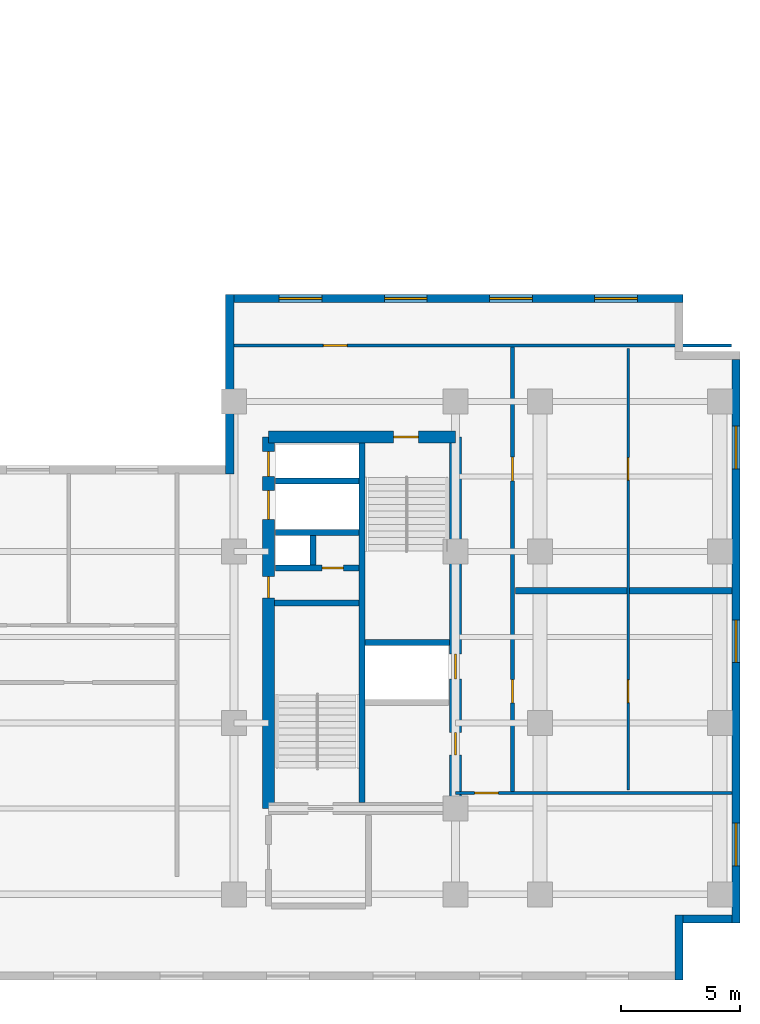
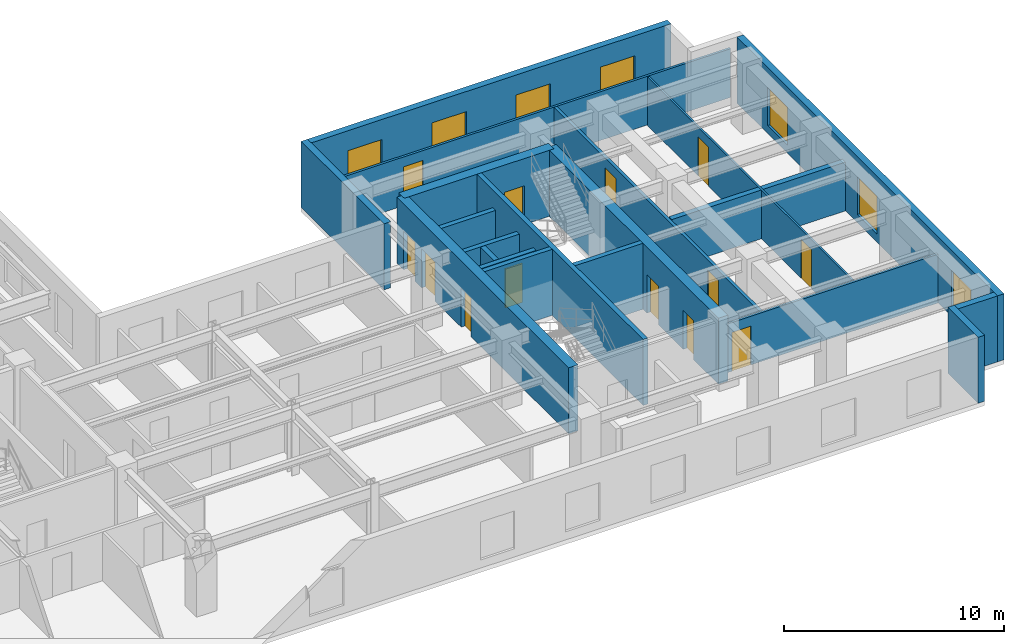
# One storey, part 5 of 9: 20 walls, 13 doors, 7 windows, 20 openings.
"""IFC4 building model written with IfcOpenShell, lengths in metres."""

from ifc_helpers import new_model, entity, si_unit, converted_unit, direction, frame, origin_with_axes, origin_2d_with_axis, place, context, subcontext, project, spatial, polyline, rectangle, outline, extrude, material, layer, layer_set, type_object, element, fill, save


model = new_model("IFC4")

# Units and contexts
model_context = context("Model", 3, precision=1e-05, world=origin_with_axes(), true_north=direction((0.0, 1.0)))
body_context = subcontext(model_context, "Body", "Model", "MODEL_VIEW")
ifc_project = project(units=[si_unit("LENGTHUNIT", "METRE"), si_unit("AREAUNIT", "SQUARE_METRE"), si_unit("VOLUMEUNIT", "CUBIC_METRE"), converted_unit("PLANEANGLEUNIT", "DEGREE", entity("IfcPlaneAngleMeasure", 0.017453292519943295), si_unit("PLANEANGLEUNIT", "RADIAN"), dimensions=[0, 0, 0, 0, 0, 0, 0]), si_unit("MASSUNIT", "GRAM", prefix="KILO"), si_unit("THERMODYNAMICTEMPERATUREUNIT", "KELVIN")], contexts=[model_context])

# Site, building, storey
site_placement = place(None, origin_with_axes())
site = spatial("IfcSite", under=ifc_project, at=site_placement, CompositionType="ELEMENT")
building_placement = place(site_placement, origin_with_axes())
building = spatial("IfcBuilding", under=site, at=building_placement, Name="Varnlund Millrace Tower", CompositionType="ELEMENT")
storey_placement = place(building_placement, frame((0.0, 0.0, 164.1), z_axis=(0.0, 0.0, 1.0), x_axis=(1.0, 0.0, 0.0)))
storey = spatial("IfcBuildingStorey", under=building, at=storey_placement, Name="L40", CompositionType="ELEMENT", Elevation=164.1)

# Wall, openings, doors
ifc_material_1 = material(Name="Concrete C70/85", Category="concrete")
ifc_layer_1 = layer(ifc_material_1, 0.5, Name="Concrete C70/85")
ifc_layer_set_1 = layer_set([ifc_layer_1], Name="Concrete C70/85")
wall_type_1 = type_object("IfcWallType", Name="Type-CoreWall-Shear-500-C70", PredefinedType="SHEAR", material=ifc_layer_set_1)
wall_1_placement = place(storey_placement, frame((40.2, 7.2, 0.0), z_axis=(0.0, 0.0, 1.0), x_axis=(0.0, 1.0, 0.0)))
wall_1 = element("IfcWall", 1, at=wall_1_placement, inside=storey, type_object=wall_type_1, Name="Type-CoreWall-Shear-500-C70", PredefinedType="SHEAR", context=body_context, shape_type="SweptSolid", body=[
    extrude(outline(polyline([(0.0, -0.25), (15.6, -0.25), (15.6, 0.25), (0.0, 0.25), (0.0, -0.25)])), origin_with_axes(), (0.0, 0.0, 1.0), 3.66),
])
opening_1_placement = place(wall_1_placement, frame((14.475, 0.0, 0.0), z_axis=(0.0, 0.0, 1.0), x_axis=(1.0, 0.0, 0.0)))
opening_1 = element("IfcOpeningElement", 2, at=opening_1_placement, cuts=wall_1, Name="Opening L40:LD-ELV-M4", PredefinedType="OPENING", context=body_context, shape_type="SweptSolid", body=[
    extrude(rectangle(XDim=1.05, YDim=0.52, at=origin_2d_with_axis()), origin_with_axes(), (0.0, 0.0, 1.0), 2.15),
])
opening_2_placement = place(wall_1_placement, frame((12.75, 0.0, 0.0), z_axis=(0.0, 0.0, 1.0), x_axis=(1.0, 0.0, 0.0)))
opening_2 = element("IfcOpeningElement", 3, at=opening_2_placement, cuts=wall_1, Name="Opening L40:LD-SRV2", PredefinedType="OPENING", context=body_context, shape_type="SweptSolid", body=[
    extrude(rectangle(XDim=1.2, YDim=0.52, at=origin_2d_with_axis()), origin_with_axes(), (0.0, 0.0, 1.0), 2.15),
])
opening_3_placement = place(wall_1_placement, frame((9.3, 0.0, 0.0), z_axis=(0.0, 0.0, 1.0), x_axis=(1.0, 0.0, 0.0)))
opening_3 = element("IfcOpeningElement", 4, at=opening_3_placement, cuts=wall_1, Name="Opening L40:DR-CB-JAN", PredefinedType="OPENING", context=body_context, shape_type="SweptSolid", body=[
    extrude(rectangle(XDim=0.9, YDim=0.52, at=origin_2d_with_axis()), origin_with_axes(), (0.0, 0.0, 1.0), 2.15),
])
ifc_material_2 = material(Name="Fire-rated hollow steel service closet door", Category="steel")
door_type_1 = type_object("IfcDoorType", Name="Type-FireDoor-Closet-900X2150", OperationType="NOTDEFINED", PredefinedType="DOOR", material=ifc_material_2)
door_1_placement = place(wall_1_placement, frame((9.3, 0.0, 0.0), z_axis=(0.0, 0.0, 1.0), x_axis=(1.0, 0.0, 0.0)))
door_1 = element("IfcDoor", 5, at=door_1_placement, inside=storey, type_object=door_type_1, Name="Type-FireDoor-Closet-900X2150", OperationType="SINGLE_SWING_RIGHT", OverallHeight=2.15, OverallWidth=0.9, PredefinedType="DOOR", context=body_context, shape_type="SweptSolid", body=[
    extrude(rectangle(XDim=0.9, YDim=0.09, at=origin_2d_with_axis()), origin_with_axes(), (0.0, 0.0, 1.0), 2.15),
])
fill(opening_3, door_1)
ifc_material_3 = material(Name="Architectural bronze sliding landing door")
door_type_2 = type_object("IfcDoorType", Name="Type-LiftLandingDoor-Compact-1050X2150", OperationType="NOTDEFINED", PredefinedType="DOOR", material=ifc_material_3)
door_2_placement = place(wall_1_placement, frame((14.475, 0.0, 0.0), z_axis=(0.0, 0.0, 1.0), x_axis=(1.0, 0.0, 0.0)))
door_2 = element("IfcDoor", 6, at=door_2_placement, inside=storey, type_object=door_type_2, Name="Type-LiftLandingDoor-Compact-1050X2150", OperationType="SLIDING_TO_RIGHT", OverallHeight=2.15, OverallWidth=1.05, PredefinedType="DOOR", context=body_context, shape_type="SweptSolid", body=[
    extrude(rectangle(XDim=1.05, YDim=0.09, at=origin_2d_with_axis()), origin_with_axes(), (0.0, 0.0, 1.0), 2.15),
])
fill(opening_1, door_2)
ifc_material_4 = material(Name="Heavy-duty freight sliding landing door")
door_type_3 = type_object("IfcDoorType", Name="Type-LiftLandingDoor-Service-1200X2150", OperationType="NOTDEFINED", PredefinedType="DOOR", material=ifc_material_4)
door_3_placement = place(wall_1_placement, frame((12.75, 0.0, 0.0), z_axis=(0.0, 0.0, 1.0), x_axis=(1.0, 0.0, 0.0)))
door_3 = element("IfcDoor", 7, at=door_3_placement, inside=storey, type_object=door_type_3, Name="Type-LiftLandingDoor-Service-1200X2150", OperationType="DOUBLE_DOOR_SLIDING", OverallHeight=2.15, OverallWidth=1.2, PredefinedType="DOOR", context=body_context, shape_type="SweptSolid", body=[
    extrude(rectangle(XDim=1.2, YDim=0.09, at=origin_2d_with_axis()), origin_with_axes(), (0.0, 0.0, 1.0), 2.15),
])
fill(opening_2, door_3)

# Wall, opening, door
wall_2_placement = place(storey_placement, frame((40.2, 22.8, 0.0), z_axis=(0.0, 0.0, 1.0), x_axis=(1.0, 0.0, 0.0)))
wall_2 = element("IfcWall", 8, at=wall_2_placement, inside=storey, type_object=wall_type_1, Name="Type-CoreWall-Shear-500-C70", PredefinedType="SHEAR", context=body_context, shape_type="SweptSolid", body=[
    extrude(outline(polyline([(0.0, -0.25), (7.85, -0.25), (7.85, 0.25), (0.0, 0.25), (0.0, -0.25)])), origin_with_axes(), (0.0, 0.0, 1.0), 3.66),
])
opening_4_placement = place(wall_2_placement, frame((5.775, 0.0, 0.0), z_axis=(0.0, 0.0, 1.0), x_axis=(1.0, 0.0, 0.0)))
opening_4 = element("IfcOpeningElement", 9, at=opening_4_placement, cuts=wall_2, Name="Opening L40:DR-STB2", PredefinedType="OPENING", context=body_context, shape_type="SweptSolid", body=[
    extrude(rectangle(XDim=1.05, YDim=0.52, at=origin_2d_with_axis()), origin_with_axes(), (0.0, 0.0, 1.0), 2.15),
])
ifc_material_5 = material(Name="Fire-rated hollow steel door", Category="steel")
door_type_4 = type_object("IfcDoorType", Name="Type-FireDoor-Stair-1050X2150", OperationType="NOTDEFINED", PredefinedType="DOOR", material=ifc_material_5)
door_4_placement = place(wall_2_placement, frame((5.775, 0.0, 0.0), z_axis=(0.0, 0.0, 1.0), x_axis=(1.0, 0.0, 0.0)))
door_4 = element("IfcDoor", 10, at=door_4_placement, inside=storey, type_object=door_type_4, Name="Type-FireDoor-Stair-1050X2150", OperationType="SINGLE_SWING_RIGHT", OverallHeight=2.15, OverallWidth=1.05, PredefinedType="DOOR", context=body_context, shape_type="SweptSolid", body=[
    extrude(rectangle(XDim=1.05, YDim=0.09, at=origin_2d_with_axis()), origin_with_axes(), (0.0, 0.0, 1.0), 2.15),
])
fill(opening_4, door_4)

# Wall, openings, doors
wall_3_placement = place(storey_placement, frame((48.05, 7.2, 0.0), z_axis=(0.0, 0.0, 1.0), x_axis=(0.0, 1.0, 0.0)))
wall_3 = element("IfcWall", 11, at=wall_3_placement, inside=storey, type_object=wall_type_1, Name="Type-CoreWall-Shear-500-C70", PredefinedType="SHEAR", context=body_context, shape_type="SweptSolid", body=[
    extrude(outline(polyline([(0.0, -0.25), (15.6, -0.25), (15.6, 0.25), (0.0, 0.25), (0.0, -0.25)])), origin_with_axes(), (0.0, 0.0, 1.0), 3.66),
])
opening_5_placement = place(wall_3_placement, frame((5.975, 0.0, 0.0), z_axis=(0.0, 0.0, 1.0), x_axis=(1.0, 0.0, 0.0)))
opening_5 = element("IfcOpeningElement", 12, at=opening_5_placement, cuts=wall_3, Name="Opening L40:LD-ELV-M3", PredefinedType="OPENING", context=body_context, shape_type="SweptSolid", body=[
    extrude(rectangle(XDim=1.05, YDim=0.52, at=origin_2d_with_axis()), origin_with_axes(), (0.0, 0.0, 1.0), 2.15),
])
opening_6_placement = place(wall_3_placement, frame((2.725, 0.0, 0.0), z_axis=(0.0, 0.0, 1.0), x_axis=(1.0, 0.0, 0.0)))
opening_6 = element("IfcOpeningElement", 13, at=opening_6_placement, cuts=wall_3, Name="Opening L40:DR-CB-WC", PredefinedType="OPENING", context=body_context, shape_type="SweptSolid", body=[
    extrude(rectangle(XDim=0.95, YDim=0.52, at=origin_2d_with_axis()), origin_with_axes(), (0.0, 0.0, 1.0), 2.15),
])
ifc_material_6 = material(Name="Fire-rated hollow steel core service door", Category="steel")
door_type_5 = type_object("IfcDoorType", Name="Type-FireDoor-Service-950X2150", OperationType="NOTDEFINED", PredefinedType="DOOR", material=ifc_material_6)
door_5_placement = place(wall_3_placement, frame((2.725, 0.0, 0.0), z_axis=(0.0, 0.0, 1.0), x_axis=(1.0, 0.0, 0.0)))
door_5 = element("IfcDoor", 14, at=door_5_placement, inside=storey, type_object=door_type_5, Name="Type-FireDoor-Service-950X2150", OperationType="SINGLE_SWING_LEFT", OverallHeight=2.15, OverallWidth=0.95, PredefinedType="DOOR", context=body_context, shape_type="SweptSolid", body=[
    extrude(rectangle(XDim=0.95, YDim=0.09, at=origin_2d_with_axis()), origin_with_axes(), (0.0, 0.0, 1.0), 2.15),
])
fill(opening_6, door_5)
door_6_placement = place(wall_3_placement, frame((5.975, 0.0, 0.0), z_axis=(0.0, 0.0, 1.0), x_axis=(1.0, 0.0, 0.0)))
door_6 = element("IfcDoor", 15, at=door_6_placement, inside=storey, type_object=door_type_2, Name="Type-LiftLandingDoor-Compact-1050X2150", OperationType="SLIDING_TO_LEFT", OverallHeight=2.15, OverallWidth=1.05, PredefinedType="DOOR", context=body_context, shape_type="SweptSolid", body=[
    extrude(rectangle(XDim=1.05, YDim=0.09, at=origin_2d_with_axis()), origin_with_axes(), (0.0, 0.0, 1.0), 2.15),
])
fill(opening_5, door_6)

# Wall
ifc_material_7 = material(Name="Precast concrete C50/60", Category="concrete")
ifc_layer_2 = layer(ifc_material_7, 0.34, Name="Precast concrete C50/60")
ifc_layer_set_2 = layer_set([ifc_layer_2], Name="Precast concrete C50/60")
wall_type_2 = type_object("IfcWallType", Name="Type-ExtWall-Precast-Upper-340", PredefinedType="SOLIDWALL", material=ifc_layer_set_2)
wall_4_placement = place(storey_placement, frame((38.57, 21.26, 0.0), z_axis=(0.0, 0.0, 1.0), x_axis=(0.0, 1.0, 0.0)))
element("IfcWall", 16, at=wall_4_placement, inside=storey, type_object=wall_type_2, Name="Type-ExtWall-Precast-Upper-340", PredefinedType="SOLIDWALL", context=body_context, shape_type="SweptSolid", body=[
    extrude(outline(polyline([(0.0, -0.17), (7.54, -0.17), (7.54, 0.17), (0.0, 0.17), (0.0, -0.17)])), origin_with_axes(), (0.0, 0.0, 1.0), 3.66),
])

# Wall, openings, windows
wall_5_placement = place(storey_placement, frame((38.74, 28.63, 0.0), z_axis=(0.0, 0.0, 1.0), x_axis=(1.0, 0.0, 0.0)))
wall_5 = element("IfcWall", 17, at=wall_5_placement, inside=storey, type_object=wall_type_2, Name="Type-ExtWall-Precast-Upper-340", PredefinedType="SOLIDWALL", context=body_context, shape_type="SweptSolid", body=[
    extrude(outline(polyline([(0.0, -0.17), (18.86, -0.17), (18.86, 0.17), (0.0, 0.17), (0.0, -0.17)])), origin_with_axes(), (0.0, 0.0, 1.0), 3.66),
])
opening_7_placement = place(wall_5_placement, frame((2.808, 0.0, 0.45), z_axis=(0.0, 0.0, 1.0), x_axis=(1.0, 0.0, 0.0)))
opening_7 = element("IfcOpeningElement", 18, at=opening_7_placement, cuts=wall_5, Name="Opening L40:WN-01", PredefinedType="OPENING", context=body_context, shape_type="SweptSolid", body=[
    extrude(rectangle(XDim=1.8, YDim=0.36, at=origin_2d_with_axis()), origin_with_axes(), (0.0, 0.0, 1.0), 2.1),
])
opening_8_placement = place(wall_5_placement, frame((7.222, 0.0, 0.45), z_axis=(0.0, 0.0, 1.0), x_axis=(1.0, 0.0, 0.0)))
opening_8 = element("IfcOpeningElement", 19, at=opening_8_placement, cuts=wall_5, Name="Opening L40:WN-02", PredefinedType="OPENING", context=body_context, shape_type="SweptSolid", body=[
    extrude(rectangle(XDim=1.8, YDim=0.36, at=origin_2d_with_axis()), origin_with_axes(), (0.0, 0.0, 1.0), 2.1),
])
opening_9_placement = place(wall_5_placement, frame((11.637, 0.0, 0.45), z_axis=(0.0, 0.0, 1.0), x_axis=(1.0, 0.0, 0.0)))
opening_9 = element("IfcOpeningElement", 20, at=opening_9_placement, cuts=wall_5, Name="Opening L40:WN-03", PredefinedType="OPENING", context=body_context, shape_type="SweptSolid", body=[
    extrude(rectangle(XDim=1.8, YDim=0.36, at=origin_2d_with_axis()), origin_with_axes(), (0.0, 0.0, 1.0), 2.1),
])
opening_10_placement = place(wall_5_placement, frame((16.053, 0.0, 0.45), z_axis=(0.0, 0.0, 1.0), x_axis=(1.0, 0.0, 0.0)))
opening_10 = element("IfcOpeningElement", 21, at=opening_10_placement, cuts=wall_5, Name="Opening L40:WN-04", PredefinedType="OPENING", context=body_context, shape_type="SweptSolid", body=[
    extrude(rectangle(XDim=1.8, YDim=0.36, at=origin_2d_with_axis()), origin_with_axes(), (0.0, 0.0, 1.0), 2.1),
])
ifc_material_8 = material(Name="Argon low-e triple glazing in thermally broken bronze frame", Category="glass")
window_type = type_object("IfcWindowType", Name="Type-Window-Punched-1800X2100", PartitioningType="SINGLE_PANEL", PredefinedType="WINDOW", material=ifc_material_8)
window_1_placement = place(wall_5_placement, frame((2.808, 0.0, 0.45), z_axis=(0.0, 0.0, 1.0), x_axis=(1.0, 0.0, 0.0)))
window_1 = element("IfcWindow", 22, at=window_1_placement, inside=storey, type_object=window_type, Name="Type-Window-Punched-1800X2100", OverallHeight=2.1, OverallWidth=1.8, PredefinedType="WINDOW", context=body_context, shape_type="SweptSolid", body=[
    extrude(rectangle(XDim=1.8, YDim=0.09, at=origin_2d_with_axis()), origin_with_axes(), (0.0, 0.0, 1.0), 2.1),
])
fill(opening_7, window_1)
window_2_placement = place(wall_5_placement, frame((7.222, 0.0, 0.45), z_axis=(0.0, 0.0, 1.0), x_axis=(1.0, 0.0, 0.0)))
window_2 = element("IfcWindow", 23, at=window_2_placement, inside=storey, type_object=window_type, Name="Type-Window-Punched-1800X2100", OverallHeight=2.1, OverallWidth=1.8, PredefinedType="WINDOW", context=body_context, shape_type="SweptSolid", body=[
    extrude(rectangle(XDim=1.8, YDim=0.09, at=origin_2d_with_axis()), origin_with_axes(), (0.0, 0.0, 1.0), 2.1),
])
fill(opening_8, window_2)
window_3_placement = place(wall_5_placement, frame((11.637, 0.0, 0.45), z_axis=(0.0, 0.0, 1.0), x_axis=(1.0, 0.0, 0.0)))
window_3 = element("IfcWindow", 24, at=window_3_placement, inside=storey, type_object=window_type, Name="Type-Window-Punched-1800X2100", OverallHeight=2.1, OverallWidth=1.8, PredefinedType="WINDOW", context=body_context, shape_type="SweptSolid", body=[
    extrude(rectangle(XDim=1.8, YDim=0.09, at=origin_2d_with_axis()), origin_with_axes(), (0.0, 0.0, 1.0), 2.1),
])
fill(opening_9, window_3)
window_4_placement = place(wall_5_placement, frame((16.053, 0.0, 0.45), z_axis=(0.0, 0.0, 1.0), x_axis=(1.0, 0.0, 0.0)))
window_4 = element("IfcWindow", 25, at=window_4_placement, inside=storey, type_object=window_type, Name="Type-Window-Punched-1800X2100", OverallHeight=2.1, OverallWidth=1.8, PredefinedType="WINDOW", context=body_context, shape_type="SweptSolid", body=[
    extrude(rectangle(XDim=1.8, YDim=0.09, at=origin_2d_with_axis()), origin_with_axes(), (0.0, 0.0, 1.0), 2.1),
])
fill(opening_10, window_4)

wall_6_placement = place(storey_placement, frame((59.83, 26.06, 0.0), z_axis=(0.0, 0.0, 1.0), x_axis=(0.0, -1.0, 0.0)))
wall_6 = element("IfcWall", 26, at=wall_6_placement, inside=storey, type_object=wall_type_2, Name="Type-ExtWall-Precast-Upper-340", PredefinedType="SOLIDWALL", context=body_context, shape_type="SweptSolid", body=[
    extrude(outline(polyline([(0.0, -0.17), (23.66, -0.17), (23.66, 0.17), (0.0, 0.17), (0.0, -0.17)])), origin_with_axes(), (0.0, 0.0, 1.0), 3.66),
])
opening_11_placement = place(wall_6_placement, frame((3.696, 0.0, 0.45), z_axis=(0.0, 0.0, 1.0), x_axis=(1.0, 0.0, 0.0)))
opening_11 = element("IfcOpeningElement", 27, at=opening_11_placement, cuts=wall_6, Name="Opening L40:WN-05", PredefinedType="OPENING", context=body_context, shape_type="SweptSolid", body=[
    extrude(rectangle(XDim=1.8, YDim=0.36, at=origin_2d_with_axis()), origin_with_axes(), (0.0, 0.0, 1.0), 2.1),
])
opening_12_placement = place(wall_6_placement, frame((11.83, 0.0, 0.45), z_axis=(0.0, 0.0, 1.0), x_axis=(1.0, 0.0, 0.0)))
opening_12 = element("IfcOpeningElement", 28, at=opening_12_placement, cuts=wall_6, Name="Opening L40:WN-06", PredefinedType="OPENING", context=body_context, shape_type="SweptSolid", body=[
    extrude(rectangle(XDim=1.8, YDim=0.36, at=origin_2d_with_axis()), origin_with_axes(), (0.0, 0.0, 1.0), 2.1),
])
opening_13_placement = place(wall_6_placement, frame((20.364, 0.0, 0.45), z_axis=(0.0, 0.0, 1.0), x_axis=(1.0, 0.0, 0.0)))
opening_13 = element("IfcOpeningElement", 29, at=opening_13_placement, cuts=wall_6, Name="Opening L40:WN-07", PredefinedType="OPENING", context=body_context, shape_type="SweptSolid", body=[
    extrude(rectangle(XDim=1.8, YDim=0.36, at=origin_2d_with_axis()), origin_with_axes(), (0.0, 0.0, 1.0), 2.1),
])
window_5_placement = place(wall_6_placement, frame((3.696, 0.0, 0.45), z_axis=(0.0, 0.0, 1.0), x_axis=(1.0, 0.0, 0.0)))
window_5 = element("IfcWindow", 30, at=window_5_placement, inside=storey, type_object=window_type, Name="Type-Window-Punched-1800X2100", OverallHeight=2.1, OverallWidth=1.8, PredefinedType="WINDOW", context=body_context, shape_type="SweptSolid", body=[
    extrude(rectangle(XDim=1.8, YDim=0.09, at=origin_2d_with_axis()), origin_with_axes(), (0.0, 0.0, 1.0), 2.1),
])
fill(opening_11, window_5)
window_6_placement = place(wall_6_placement, frame((11.83, 0.0, 0.45), z_axis=(0.0, 0.0, 1.0), x_axis=(1.0, 0.0, 0.0)))
window_6 = element("IfcWindow", 31, at=window_6_placement, inside=storey, type_object=window_type, Name="Type-Window-Punched-1800X2100", OverallHeight=2.1, OverallWidth=1.8, PredefinedType="WINDOW", context=body_context, shape_type="SweptSolid", body=[
    extrude(rectangle(XDim=1.8, YDim=0.09, at=origin_2d_with_axis()), origin_with_axes(), (0.0, 0.0, 1.0), 2.1),
])
fill(opening_12, window_6)
window_7_placement = place(wall_6_placement, frame((20.364, 0.0, 0.45), z_axis=(0.0, 0.0, 1.0), x_axis=(1.0, 0.0, 0.0)))
window_7 = element("IfcWindow", 32, at=window_7_placement, inside=storey, type_object=window_type, Name="Type-Window-Punched-1800X2100", OverallHeight=2.1, OverallWidth=1.8, PredefinedType="WINDOW", context=body_context, shape_type="SweptSolid", body=[
    extrude(rectangle(XDim=1.8, YDim=0.09, at=origin_2d_with_axis()), origin_with_axes(), (0.0, 0.0, 1.0), 2.1),
])
fill(opening_13, window_7)

# Walls
wall_7_placement = place(storey_placement, frame((59.66, 2.57, 0.0), z_axis=(0.0, 0.0, 1.0), x_axis=(-1.0, 0.0, 0.0)))
element("IfcWall", 33, at=wall_7_placement, inside=storey, type_object=wall_type_2, Name="Type-ExtWall-Precast-Upper-340", PredefinedType="SOLIDWALL", context=body_context, shape_type="SweptSolid", body=[
    extrude(outline(polyline([(0.0, -0.17), (2.06, -0.17), (2.06, 0.17), (0.0, 0.17), (0.0, -0.17)])), origin_with_axes(), (0.0, 0.0, 1.0), 3.66),
])
wall_8_placement = place(storey_placement, frame((57.43, 2.74, 0.0), z_axis=(0.0, 0.0, 1.0), x_axis=(0.0, -1.0, 0.0)))
element("IfcWall", 34, at=wall_8_placement, inside=storey, type_object=wall_type_2, Name="Type-ExtWall-Precast-Upper-340", PredefinedType="SOLIDWALL", context=body_context, shape_type="SweptSolid", body=[
    extrude(outline(polyline([(0.0, -0.17), (2.74, -0.17), (2.74, 0.17), (0.0, 0.17), (0.0, -0.17)])), origin_with_axes(), (0.0, 0.0, 1.0), 3.66),
])
ifc_material_9 = material(Name="Double-stud STC-60 conference acoustic partition", Category="gypsum")
ifc_layer_3 = layer(ifc_material_9, 0.28, Name="Double-stud STC-60 conference acoustic partition")
ifc_layer_set_3 = layer_set([ifc_layer_3], Name="Double-stud STC-60 conference acoustic partition")
wall_type_3 = type_object("IfcWallType", Name="Type-Partition-Acoustic-280", PredefinedType="PARTITIONING", material=ifc_layer_set_3)
wall_9_placement = place(storey_placement, frame((50.57, 16.343, 0.0), z_axis=(0.0, 0.0, 1.0), x_axis=(1.0, 0.0, 0.0)))
element("IfcWall", 35, at=wall_9_placement, inside=storey, type_object=wall_type_3, Name="Type-Partition-Acoustic-280", PredefinedType="PARTITIONING", context=body_context, shape_type="SweptSolid", body=[
    extrude(outline(polyline([(0.0, -0.14), (9.095, -0.14), (9.095, 0.14), (0.0, 0.14), (0.0, -0.14)])), origin_with_axes(), (0.0, 0.0, 1.0), 2.7),
])

# Wall, openings, doors
ifc_material_10 = material(Name="Fire-rated gypsum board on cold-formed steel framing", Category="steel")
ifc_layer_4 = layer(ifc_material_10, 0.16, Name="Fire-rated gypsum board on cold-formed steel framing")
ifc_layer_set_4 = layer_set([ifc_layer_4], Name="Fire-rated gypsum board on cold-formed steel framing")
wall_type_4 = type_object("IfcWallType", Name="Type-Partition-Corridor-160", PredefinedType="PARTITIONING", material=ifc_layer_set_4)
wall_10_placement = place(storey_placement, frame((50.45, 7.85, 0.0), z_axis=(0.0, 0.0, 1.0), x_axis=(0.0, 1.0, 0.0)))
wall_10 = element("IfcWall", 36, at=wall_10_placement, inside=storey, type_object=wall_type_4, Name="Type-Partition-Corridor-160", PredefinedType="PARTITIONING", context=body_context, shape_type="SweptSolid", body=[
    extrude(outline(polyline([(0.0, -0.08), (18.8, -0.08), (18.8, 0.08), (0.0, 0.08), (0.0, -0.08)])), origin_with_axes(), (0.0, 0.0, 1.0), 2.7),
])
opening_14_placement = place(wall_10_placement, frame((4.2765, 0.0, 0.0), z_axis=(0.0, 0.0, 1.0), x_axis=(1.0, 0.0, 0.0)))
opening_14 = element("IfcOpeningElement", 37, at=opening_14_placement, cuts=wall_10, Name="Opening L40:DR-WB-01", PredefinedType="OPENING", context=body_context, shape_type="SweptSolid", body=[
    extrude(rectangle(XDim=1.0, YDim=0.18, at=origin_2d_with_axis()), origin_with_axes(), (0.0, 0.0, 1.0), 2.15),
])
opening_15_placement = place(wall_10_placement, frame((13.6165, 0.0, 0.0), z_axis=(0.0, 0.0, 1.0), x_axis=(1.0, 0.0, 0.0)))
opening_15 = element("IfcOpeningElement", 38, at=opening_15_placement, cuts=wall_10, Name="Opening L40:DR-WB-02", PredefinedType="OPENING", context=body_context, shape_type="SweptSolid", body=[
    extrude(rectangle(XDim=1.0, YDim=0.18, at=origin_2d_with_axis()), origin_with_axes(), (0.0, 0.0, 1.0), 2.15),
])
ifc_material_11 = material(Name="Solid-core white oak and bronze frame door")
door_type_6 = type_object("IfcDoorType", Name="Type-IntDoor-Office-1000X2150", OperationType="NOTDEFINED", PredefinedType="DOOR", material=ifc_material_11)
door_7_placement = place(wall_10_placement, frame((4.2765, 0.0, 0.0), z_axis=(0.0, 0.0, 1.0), x_axis=(1.0, 0.0, 0.0)))
door_7 = element("IfcDoor", 39, at=door_7_placement, inside=storey, type_object=door_type_6, Name="Type-IntDoor-Office-1000X2150", OperationType="SINGLE_SWING_LEFT", OverallHeight=2.15, OverallWidth=1.0, PredefinedType="DOOR", context=body_context, shape_type="SweptSolid", body=[
    extrude(rectangle(XDim=1.0, YDim=0.09, at=origin_2d_with_axis()), origin_with_axes(), (0.0, 0.0, 1.0), 2.15),
])
fill(opening_14, door_7)
door_8_placement = place(wall_10_placement, frame((13.6165, 0.0, 0.0), z_axis=(0.0, 0.0, 1.0), x_axis=(1.0, 0.0, 0.0)))
door_8 = element("IfcDoor", 40, at=door_8_placement, inside=storey, type_object=door_type_6, Name="Type-IntDoor-Office-1000X2150", OperationType="SINGLE_SWING_RIGHT", OverallHeight=2.15, OverallWidth=1.0, PredefinedType="DOOR", context=body_context, shape_type="SweptSolid", body=[
    extrude(rectangle(XDim=1.0, YDim=0.09, at=origin_2d_with_axis()), origin_with_axes(), (0.0, 0.0, 1.0), 2.15),
])
fill(opening_15, door_8)

ifc_material_12 = material(Name="Architectural bronze and acoustic glass office front", Category="glass")
ifc_layer_5 = layer(ifc_material_12, 0.1, Name="Architectural bronze and acoustic glass office front")
ifc_layer_set_5 = layer_set([ifc_layer_5], Name="Architectural bronze and acoustic glass office front")
wall_type_5 = type_object("IfcWallType", Name="Type-Partition-Glazed-100", PredefinedType="PARTITIONING", material=ifc_layer_set_5)
wall_11_placement = place(storey_placement, frame((55.3, 7.98, 0.0), z_axis=(0.0, 0.0, 1.0), x_axis=(0.0, 1.0, 0.0)))
wall_11 = element("IfcWall", 41, at=wall_11_placement, inside=storey, type_object=wall_type_5, Name="Type-Partition-Glazed-100", PredefinedType="PARTITIONING", context=body_context, shape_type="SweptSolid", body=[
    extrude(outline(polyline([(0.0, -0.05), (18.54, -0.05), (18.54, 0.05), (0.0, 0.05), (0.0, -0.05)])), origin_with_axes(), (0.0, 0.0, 1.0), 2.7),
])
opening_16_placement = place(wall_11_placement, frame((4.1465, 0.0, 0.0), z_axis=(0.0, 0.0, 1.0), x_axis=(1.0, 0.0, 0.0)))
opening_16 = element("IfcOpeningElement", 42, at=opening_16_placement, cuts=wall_11, Name="Opening L40:DR-WB-S01", PredefinedType="OPENING", context=body_context, shape_type="SweptSolid", body=[
    extrude(rectangle(XDim=0.95, YDim=0.12, at=origin_2d_with_axis()), origin_with_axes(), (0.0, 0.0, 1.0), 2.15),
])
opening_17_placement = place(wall_11_placement, frame((13.4865, 0.0, 0.0), z_axis=(0.0, 0.0, 1.0), x_axis=(1.0, 0.0, 0.0)))
opening_17 = element("IfcOpeningElement", 43, at=opening_17_placement, cuts=wall_11, Name="Opening L40:DR-WB-S02", PredefinedType="OPENING", context=body_context, shape_type="SweptSolid", body=[
    extrude(rectangle(XDim=0.95, YDim=0.12, at=origin_2d_with_axis()), origin_with_axes(), (0.0, 0.0, 1.0), 2.15),
])
ifc_material_13 = material(Name="Solid-core acoustic office door")
door_type_7 = type_object("IfcDoorType", Name="Type-IntDoor-Tenant-950X2150", OperationType="NOTDEFINED", PredefinedType="DOOR", material=ifc_material_13)
door_9_placement = place(wall_11_placement, frame((4.1465, 0.0, 0.0), z_axis=(0.0, 0.0, 1.0), x_axis=(1.0, 0.0, 0.0)))
door_9 = element("IfcDoor", 44, at=door_9_placement, inside=storey, type_object=door_type_7, Name="Type-IntDoor-Tenant-950X2150", OperationType="SINGLE_SWING_LEFT", OverallHeight=2.15, OverallWidth=0.95, PredefinedType="DOOR", context=body_context, shape_type="SweptSolid", body=[
    extrude(rectangle(XDim=0.95, YDim=0.06, at=origin_2d_with_axis()), origin_with_axes(), (0.0, 0.0, 1.0), 2.15),
])
fill(opening_16, door_9)
door_10_placement = place(wall_11_placement, frame((13.4865, 0.0, 0.0), z_axis=(0.0, 0.0, 1.0), x_axis=(1.0, 0.0, 0.0)))
door_10 = element("IfcDoor", 45, at=door_10_placement, inside=storey, type_object=door_type_7, Name="Type-IntDoor-Tenant-950X2150", OperationType="SINGLE_SWING_LEFT", OverallHeight=2.15, OverallWidth=0.95, PredefinedType="DOOR", context=body_context, shape_type="SweptSolid", body=[
    extrude(rectangle(XDim=0.95, YDim=0.06, at=origin_2d_with_axis()), origin_with_axes(), (0.0, 0.0, 1.0), 2.15),
])
fill(opening_17, door_10)

# Wall, opening, door
ifc_material_14 = material(Name="Gypsum board tenant partition", Category="gypsum")
ifc_layer_6 = layer(ifc_material_14, 0.125, Name="Gypsum board tenant partition")
ifc_layer_set_6 = layer_set([ifc_layer_6], Name="Gypsum board tenant partition")
wall_type_6 = type_object("IfcWallType", Name="Type-Partition-Tenant-125", PredefinedType="PARTITIONING", material=ifc_layer_set_6)
wall_12_placement = place(storey_placement, frame((59.665, 7.85, 0.0), z_axis=(0.0, 0.0, 1.0), x_axis=(-1.0, 0.0, 0.0)))
wall_12 = element("IfcWall", 46, at=wall_12_placement, inside=storey, type_object=wall_type_6, Name="Type-Partition-Tenant-125", PredefinedType="PARTITIONING", context=body_context, shape_type="SweptSolid", body=[
    extrude(outline(polyline([(0.0, -0.0625), (11.615, -0.0625), (11.615, 0.0625), (0.0, 0.0625), (0.0, -0.0625)])), origin_with_axes(), (0.0, 0.0, 1.0), 2.7),
])
opening_18_placement = place(wall_12_placement, frame((10.315, 0.0, 0.0), z_axis=(0.0, 0.0, 1.0), x_axis=(1.0, 0.0, 0.0)))
opening_18 = element("IfcOpeningElement", 47, at=opening_18_placement, cuts=wall_12, Name="Opening L40:DR-WBS-01", PredefinedType="OPENING", context=body_context, shape_type="SweptSolid", body=[
    extrude(rectangle(XDim=1.0, YDim=0.145, at=origin_2d_with_axis()), origin_with_axes(), (0.0, 0.0, 1.0), 2.15),
])
door_11_placement = place(wall_12_placement, frame((10.315, 0.0, 0.0), z_axis=(0.0, 0.0, 1.0), x_axis=(1.0, 0.0, 0.0)))
door_11 = element("IfcDoor", 48, at=door_11_placement, inside=storey, type_object=door_type_6, Name="Type-IntDoor-Office-1000X2150", OperationType="SINGLE_SWING_LEFT", OverallHeight=2.15, OverallWidth=1.0, PredefinedType="DOOR", context=body_context, shape_type="SweptSolid", body=[
    extrude(rectangle(XDim=1.0, YDim=0.075, at=origin_2d_with_axis()), origin_with_axes(), (0.0, 0.0, 1.0), 2.15),
])
fill(opening_18, door_11)

wall_13_placement = place(storey_placement, frame((38.735, 26.65, 0.0), z_axis=(0.0, 0.0, 1.0), x_axis=(1.0, 0.0, 0.0)))
wall_13 = element("IfcWall", 49, at=wall_13_placement, inside=storey, type_object=wall_type_6, Name="Type-Partition-Tenant-125", PredefinedType="PARTITIONING", context=body_context, shape_type="SweptSolid", body=[
    extrude(outline(polyline([(0.0, -0.0625), (20.905, -0.0625), (20.905, 0.0625), (0.0, 0.0625), (0.0, -0.0625)])), origin_with_axes(), (0.0, 0.0, 1.0), 2.7),
])
opening_19_placement = place(wall_13_placement, frame((4.265, 0.0, 0.0), z_axis=(0.0, 0.0, 1.0), x_axis=(1.0, 0.0, 0.0)))
opening_19 = element("IfcOpeningElement", 50, at=opening_19_placement, cuts=wall_13, Name="Opening L40:DR-WBN-01", PredefinedType="OPENING", context=body_context, shape_type="SweptSolid", body=[
    extrude(rectangle(XDim=1.0, YDim=0.145, at=origin_2d_with_axis()), origin_with_axes(), (0.0, 0.0, 1.0), 2.15),
])
door_12_placement = place(wall_13_placement, frame((4.265, 0.0, 0.0), z_axis=(0.0, 0.0, 1.0), x_axis=(1.0, 0.0, 0.0)))
door_12 = element("IfcDoor", 51, at=door_12_placement, inside=storey, type_object=door_type_6, Name="Type-IntDoor-Office-1000X2150", OperationType="SINGLE_SWING_RIGHT", OverallHeight=2.15, OverallWidth=1.0, PredefinedType="DOOR", context=body_context, shape_type="SweptSolid", body=[
    extrude(rectangle(XDim=1.0, YDim=0.075, at=origin_2d_with_axis()), origin_with_axes(), (0.0, 0.0, 1.0), 2.15),
])
fill(opening_19, door_12)

ifc_material_15 = material(Name="Concrete C60/75", Category="concrete")
ifc_layer_7 = layer(ifc_material_15, 0.25, Name="Concrete C60/75")
ifc_layer_set_7 = layer_set([ifc_layer_7], Name="Concrete C60/75")
wall_type_7 = type_object("IfcWallType", Name="Type-ShaftWall-Fire-250", PredefinedType="SOLIDWALL", material=ifc_layer_set_7)
wall_14_placement = place(storey_placement, frame((40.5, 17.3, 0.0), z_axis=(0.0, 0.0, 1.0), x_axis=(1.0, 0.0, 0.0)))
wall_14 = element("IfcWall", 52, at=wall_14_placement, inside=storey, type_object=wall_type_7, Name="Type-ShaftWall-Fire-250", PredefinedType="SOLIDWALL", context=body_context, shape_type="SweptSolid", body=[
    extrude(outline(polyline([(0.0, -0.125), (3.5, -0.125), (3.5, 0.125), (0.0, 0.125), (0.0, -0.125)])), origin_with_axes(), (0.0, 0.0, 1.0), 2.7),
])
opening_20_placement = place(wall_14_placement, frame((2.4, 0.0, 0.0), z_axis=(0.0, 0.0, 1.0), x_axis=(1.0, 0.0, 0.0)))
opening_20 = element("IfcOpeningElement", 53, at=opening_20_placement, cuts=wall_14, Name="Opening L40:DR-CB-ELC", PredefinedType="OPENING", context=body_context, shape_type="SweptSolid", body=[
    extrude(rectangle(XDim=0.9, YDim=0.27, at=origin_2d_with_axis()), origin_with_axes(), (0.0, 0.0, 1.0), 2.15),
])
door_13_placement = place(wall_14_placement, frame((2.4, 0.0, 0.0), z_axis=(0.0, 0.0, 1.0), x_axis=(1.0, 0.0, 0.0)))
door_13 = element("IfcDoor", 54, at=door_13_placement, inside=storey, type_object=door_type_1, Name="Type-FireDoor-Closet-900X2150", OperationType="SINGLE_SWING_LEFT", OverallHeight=2.15, OverallWidth=0.9, PredefinedType="DOOR", context=body_context, shape_type="SweptSolid", body=[
    extrude(rectangle(XDim=0.9, YDim=0.09, at=origin_2d_with_axis()), origin_with_axes(), (0.0, 0.0, 1.0), 2.15),
])
fill(opening_20, door_13)

# Walls
wall_15_placement = place(storey_placement, frame((40.5, 18.8, 0.0), z_axis=(0.0, 0.0, 1.0), x_axis=(1.0, 0.0, 0.0)))
element("IfcWall", 55, at=wall_15_placement, inside=storey, type_object=wall_type_7, Name="Type-ShaftWall-Fire-250", PredefinedType="SOLIDWALL", context=body_context, shape_type="SweptSolid", body=[
    extrude(outline(polyline([(0.0, -0.125), (3.5, -0.125), (3.5, 0.125), (0.0, 0.125), (0.0, -0.125)])), origin_with_axes(), (0.0, 0.0, 1.0), 2.7),
])
wall_16_placement = place(storey_placement, frame((42.075, 17.43, 0.0), z_axis=(0.0, 0.0, 1.0), x_axis=(0.0, 1.0, 0.0)))
element("IfcWall", 56, at=wall_16_placement, inside=storey, type_object=wall_type_7, Name="Type-ShaftWall-Fire-250", PredefinedType="SOLIDWALL", context=body_context, shape_type="SweptSolid", body=[
    extrude(outline(polyline([(0.0, -0.125), (1.24, -0.125), (1.24, 0.125), (0.0, 0.125), (0.0, -0.125)])), origin_with_axes(), (0.0, 0.0, 1.0), 2.7),
])
wall_17_placement = place(storey_placement, frame((40.5, 20.96, 0.0), z_axis=(0.0, 0.0, 1.0), x_axis=(1.0, 0.0, 0.0)))
element("IfcWall", 57, at=wall_17_placement, inside=storey, type_object=wall_type_7, Name="Type-ShaftWall-Fire-250", PredefinedType="SOLIDWALL", context=body_context, shape_type="SweptSolid", body=[
    extrude(outline(polyline([(0.0, -0.125), (3.5, -0.125), (3.5, 0.125), (0.0, 0.125), (0.0, -0.125)])), origin_with_axes(), (0.0, 0.0, 1.0), 2.7),
])
wall_type_8 = type_object("IfcWallType", Name="Type-StairWall-Shear-250", PredefinedType="SHEAR", material=ifc_layer_set_7)
wall_18_placement = place(storey_placement, frame((44.125, 7.45, 0.0), z_axis=(0.0, 0.0, 1.0), x_axis=(0.0, 1.0, 0.0)))
element("IfcWall", 58, at=wall_18_placement, inside=storey, type_object=wall_type_8, Name="Type-StairWall-Shear-250", PredefinedType="SHEAR", context=body_context, shape_type="SweptSolid", body=[
    extrude(outline(polyline([(0.0, -0.125), (15.1, -0.125), (15.1, 0.125), (0.0, 0.125), (0.0, -0.125)])), origin_with_axes(), (0.0, 0.0, 1.0), 3.66),
])
for number, where, z_axis, x_axis, name in (
    (59, (40.45, 15.825, 0.0), (0.0, 0.0, 1.0), (1.0, 0.0, 0.0), "Type-StairWall-Shear-250"),
    (60, (44.25, 14.175, 0.0), (0.0, 0.0, 1.0), (1.0, 0.0, 0.0), "Type-StairWall-Shear-250"),
):
    element("IfcWall", number, at=place(storey_placement, frame(where, z_axis=z_axis, x_axis=x_axis)), inside=storey, type_object=wall_type_8, Name=name, PredefinedType="SHEAR", context=body_context, shape_type="SweptSolid", body=[
        extrude(outline(polyline([(0.0, -0.125), (3.55, -0.125), (3.55, 0.125), (0.0, 0.125), (0.0, -0.125)])), origin_with_axes(), (0.0, 0.0, 1.0), 3.66),
    ])

save(model, "model.ifc")
